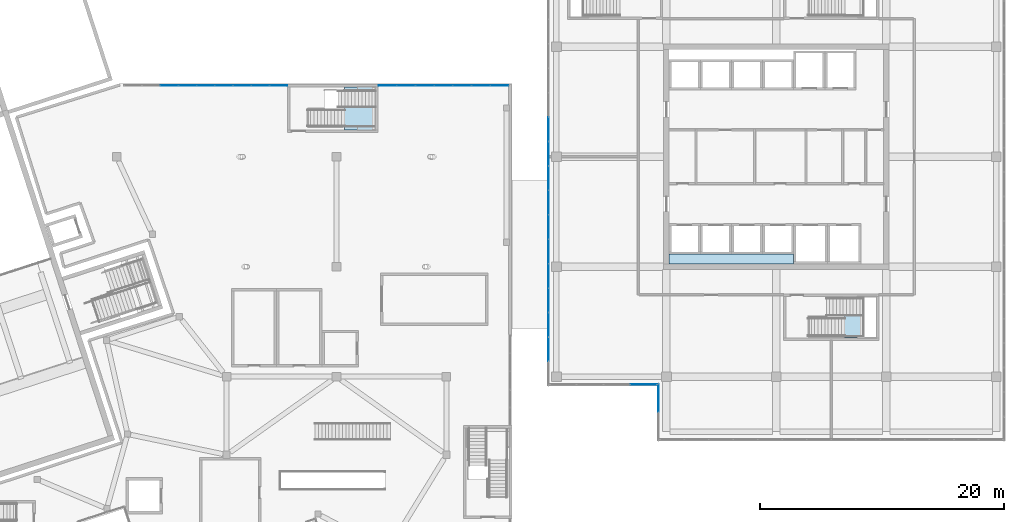
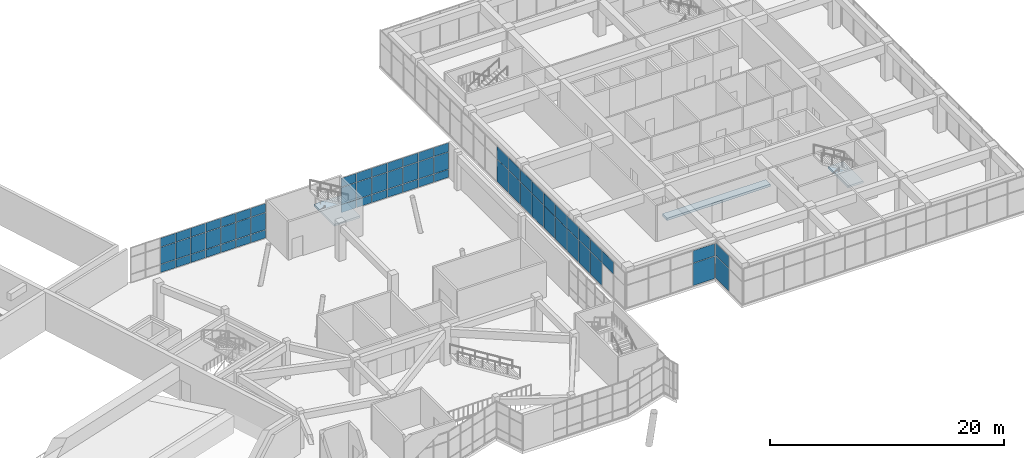
# One storey, part 49 of 66: 65 plates, 3 slabs, 7 elements without a shape of their own.
"""IFC4 building model written with IfcOpenShell, lengths in metres."""

from ifc_helpers import new_model, si_unit, direction, frame, origin, origin_2d, place, context, subcontext, project, spatial, polyline, rectangle, outline, extrude, material, layer, layer_set, type_object, element, aggregate, save


model = new_model("IFC4")

# Units and contexts
model_context = context("Model", 3, precision=1e-05, world=origin(), true_north=direction((0.0, 1.0)))
body_context = subcontext(model_context, "Body", "Model", "MODEL_VIEW")
ifc_project = project(units=[si_unit("LENGTHUNIT", "METRE"), si_unit("AREAUNIT", "SQUARE_METRE"), si_unit("VOLUMEUNIT", "CUBIC_METRE"), si_unit("PLANEANGLEUNIT", "RADIAN"), si_unit("MASSUNIT", "GRAM", prefix="KILO")], contexts=[model_context])

# Site, building, storey
site_placement = place(None, origin())
site = spatial("IfcSite", under=ifc_project, at=site_placement, CompositionType="ELEMENT")
building_placement = place(site_placement, origin())
building = spatial("IfcBuilding", under=site, at=building_placement, Name="Tuart Plaza Theatre", CompositionType="ELEMENT")
storey_placement = place(building_placement, frame((0.0, 0.0, 5.5)))
storey = spatial("IfcBuildingStorey", under=building, at=storey_placement, Name="L01", CompositionType="ELEMENT", Elevation=5.5)

# Curtain wall, plates
ifc_material_1 = material(Name="Aluminium and glass", Category="aluminium")
ifc_layer_1 = layer(ifc_material_1, 0.10009765625)
ifc_layer_set_1 = layer_set([ifc_layer_1], Name="CURTAIN WALL 1500 module")
curtain_wall_type_1 = type_object("IfcCurtainWallType", Name="CURTAIN WALL 1500 module", PredefinedType="NOTDEFINED", material=ifc_layer_set_1)
curtain_wall_1_placement = place(storey_placement, origin())
curtain_wall_1 = element("IfcCurtainWall", 1, at=curtain_wall_1_placement, inside=storey, type_object=curtain_wall_type_1, Name="CW23", PredefinedType="NOTDEFINED")
ifc_material_2 = material(Name="Glass", Category="glass")
ifc_layer_2 = layer(ifc_material_2, 0.028076171875)
ifc_layer_set_2 = layer_set([ifc_layer_2], Name="CURTAIN PANEL double glazed 28")
plate_type = type_object("IfcPlateType", Name="CURTAIN PANEL double glazed 28", PredefinedType="CURTAIN_PANEL", material=ifc_layer_set_2)
plate_1_placement = place(storey_placement, frame((82.31787109375, 79.8369140625, 0.0498046875), z_axis=(0.0, 0.0, 1.0), x_axis=(1.0, 0.0, 0.0)))
plate_1 = element("IfcPlate", 2, at=plate_1_placement, type_object=plate_type, Name="CW23 panel 3.1", PredefinedType="CURTAIN_PANEL", context=body_context, shape_type="SweptSolid", body=[
    extrude(rectangle(XDim=1.439453125, YDim=0.028076171875, at=origin_2d()), origin(), (0.0, 0.0, 1.0), 0.824951171875),
])
plate_2_placement = place(storey_placement, frame((82.31787109375, 79.8369140625, 0.925048828125), z_axis=(0.0, 0.0, 1.0), x_axis=(1.0, 0.0, 0.0)))
plate_2 = element("IfcPlate", 3, at=plate_2_placement, type_object=plate_type, Name="CW23 panel 3.2", PredefinedType="CURTAIN_PANEL", context=body_context, shape_type="SweptSolid", body=[
    extrude(rectangle(XDim=1.439453125, YDim=0.028076171875, at=origin_2d()), origin(), (0.0, 0.0, 1.0), 1.75),
])
plate_3_placement = place(storey_placement, frame((82.31787109375, 79.8369140625, 2.72509765625), z_axis=(0.0, 0.0, 1.0), x_axis=(1.0, 0.0, 0.0)))
plate_3 = element("IfcPlate", 4, at=plate_3_placement, type_object=plate_type, Name="CW23 panel 3.3", PredefinedType="CURTAIN_PANEL", context=body_context, shape_type="SweptSolid", body=[
    extrude(rectangle(XDim=1.439453125, YDim=0.028076171875, at=origin_2d()), origin(), (0.0, 0.0, 1.0), 0.925048828125),
])
plate_4_placement = place(storey_placement, frame((83.807373046875, 79.8369140625, 0.0498046875), z_axis=(0.0, 0.0, 1.0), x_axis=(1.0, 0.0, 0.0)))
plate_4 = element("IfcPlate", 5, at=plate_4_placement, type_object=plate_type, Name="CW23 panel 4.1", PredefinedType="CURTAIN_PANEL", context=body_context, shape_type="SweptSolid", body=[
    extrude(rectangle(XDim=1.439453125, YDim=0.028076171875, at=origin_2d()), origin(), (0.0, 0.0, 1.0), 0.824951171875),
])
plate_5_placement = place(storey_placement, frame((83.807373046875, 79.8369140625, 0.925048828125), z_axis=(0.0, 0.0, 1.0), x_axis=(1.0, 0.0, 0.0)))
plate_5 = element("IfcPlate", 6, at=plate_5_placement, type_object=plate_type, Name="CW23 panel 4.2", PredefinedType="CURTAIN_PANEL", context=body_context, shape_type="SweptSolid", body=[
    extrude(rectangle(XDim=1.439453125, YDim=0.028076171875, at=origin_2d()), origin(), (0.0, 0.0, 1.0), 1.75),
])
plate_6_placement = place(storey_placement, frame((83.807373046875, 79.8369140625, 2.72509765625), z_axis=(0.0, 0.0, 1.0), x_axis=(1.0, 0.0, 0.0)))
plate_6 = element("IfcPlate", 7, at=plate_6_placement, type_object=plate_type, Name="CW23 panel 4.3", PredefinedType="CURTAIN_PANEL", context=body_context, shape_type="SweptSolid", body=[
    extrude(rectangle(XDim=1.439453125, YDim=0.028076171875, at=origin_2d()), origin(), (0.0, 0.0, 1.0), 0.925048828125),
])
plate_7_placement = place(storey_placement, frame((85.297119140625, 79.8369140625, 0.0498046875), z_axis=(0.0, 0.0, 1.0), x_axis=(1.0, 0.0, 0.0)))
plate_7 = element("IfcPlate", 8, at=plate_7_placement, type_object=plate_type, Name="CW23 panel 5.1", PredefinedType="CURTAIN_PANEL", context=body_context, shape_type="SweptSolid", body=[
    extrude(rectangle(XDim=1.439453125, YDim=0.028076171875, at=origin_2d()), origin(), (0.0, 0.0, 1.0), 0.824951171875),
])
plate_8_placement = place(storey_placement, frame((85.297119140625, 79.8369140625, 0.925048828125), z_axis=(0.0, 0.0, 1.0), x_axis=(1.0, 0.0, 0.0)))
plate_8 = element("IfcPlate", 9, at=plate_8_placement, type_object=plate_type, Name="CW23 panel 5.2", PredefinedType="CURTAIN_PANEL", context=body_context, shape_type="SweptSolid", body=[
    extrude(rectangle(XDim=1.439453125, YDim=0.028076171875, at=origin_2d()), origin(), (0.0, 0.0, 1.0), 1.75),
])
plate_9_placement = place(storey_placement, frame((85.297119140625, 79.8369140625, 2.72509765625), z_axis=(0.0, 0.0, 1.0), x_axis=(1.0, 0.0, 0.0)))
plate_9 = element("IfcPlate", 10, at=plate_9_placement, type_object=plate_type, Name="CW23 panel 5.3", PredefinedType="CURTAIN_PANEL", context=body_context, shape_type="SweptSolid", body=[
    extrude(rectangle(XDim=1.439453125, YDim=0.028076171875, at=origin_2d()), origin(), (0.0, 0.0, 1.0), 0.925048828125),
])
plate_10_placement = place(storey_placement, frame((86.78662109375, 79.8369140625, 0.0498046875), z_axis=(0.0, 0.0, 1.0), x_axis=(1.0, 0.0, 0.0)))
plate_10 = element("IfcPlate", 11, at=plate_10_placement, type_object=plate_type, Name="CW23 panel 6.1", PredefinedType="CURTAIN_PANEL", context=body_context, shape_type="SweptSolid", body=[
    extrude(rectangle(XDim=1.439453125, YDim=0.028076171875, at=origin_2d()), origin(), (0.0, 0.0, 1.0), 0.824951171875),
])
plate_11_placement = place(storey_placement, frame((86.78662109375, 79.8369140625, 0.925048828125), z_axis=(0.0, 0.0, 1.0), x_axis=(1.0, 0.0, 0.0)))
plate_11 = element("IfcPlate", 12, at=plate_11_placement, type_object=plate_type, Name="CW23 panel 6.2", PredefinedType="CURTAIN_PANEL", context=body_context, shape_type="SweptSolid", body=[
    extrude(rectangle(XDim=1.439453125, YDim=0.028076171875, at=origin_2d()), origin(), (0.0, 0.0, 1.0), 1.75),
])
plate_12_placement = place(storey_placement, frame((86.78662109375, 79.8369140625, 2.72509765625), z_axis=(0.0, 0.0, 1.0), x_axis=(1.0, 0.0, 0.0)))
plate_12 = element("IfcPlate", 13, at=plate_12_placement, type_object=plate_type, Name="CW23 panel 6.3", PredefinedType="CURTAIN_PANEL", context=body_context, shape_type="SweptSolid", body=[
    extrude(rectangle(XDim=1.439453125, YDim=0.028076171875, at=origin_2d()), origin(), (0.0, 0.0, 1.0), 0.925048828125),
])
plate_13_placement = place(storey_placement, frame((88.276123046875, 79.8369140625, 0.0498046875), z_axis=(0.0, 0.0, 1.0), x_axis=(1.0, 0.0, 0.0)))
plate_13 = element("IfcPlate", 14, at=plate_13_placement, type_object=plate_type, Name="CW23 panel 7.1", PredefinedType="CURTAIN_PANEL", context=body_context, shape_type="SweptSolid", body=[
    extrude(rectangle(XDim=1.439453125, YDim=0.028076171875, at=origin_2d()), origin(), (0.0, 0.0, 1.0), 0.824951171875),
])
plate_14_placement = place(storey_placement, frame((88.276123046875, 79.8369140625, 0.925048828125), z_axis=(0.0, 0.0, 1.0), x_axis=(1.0, 0.0, 0.0)))
plate_14 = element("IfcPlate", 15, at=plate_14_placement, type_object=plate_type, Name="CW23 panel 7.2", PredefinedType="CURTAIN_PANEL", context=body_context, shape_type="SweptSolid", body=[
    extrude(rectangle(XDim=1.439453125, YDim=0.028076171875, at=origin_2d()), origin(), (0.0, 0.0, 1.0), 1.75),
])
plate_15_placement = place(storey_placement, frame((88.276123046875, 79.8369140625, 2.72509765625), z_axis=(0.0, 0.0, 1.0), x_axis=(1.0, 0.0, 0.0)))
plate_15 = element("IfcPlate", 16, at=plate_15_placement, type_object=plate_type, Name="CW23 panel 7.3", PredefinedType="CURTAIN_PANEL", context=body_context, shape_type="SweptSolid", body=[
    extrude(rectangle(XDim=1.439453125, YDim=0.028076171875, at=origin_2d()), origin(), (0.0, 0.0, 1.0), 0.925048828125),
])
plate_16_placement = place(storey_placement, frame((89.765625, 79.8369140625, 0.0498046875), z_axis=(0.0, 0.0, 1.0), x_axis=(1.0, 0.0, 0.0)))
plate_16 = element("IfcPlate", 17, at=plate_16_placement, type_object=plate_type, Name="CW23 panel 8.1", PredefinedType="CURTAIN_PANEL", context=body_context, shape_type="SweptSolid", body=[
    extrude(rectangle(XDim=1.439453125, YDim=0.028076171875, at=origin_2d()), origin(), (0.0, 0.0, 1.0), 0.824951171875),
])
plate_17_placement = place(storey_placement, frame((89.765625, 79.8369140625, 0.925048828125), z_axis=(0.0, 0.0, 1.0), x_axis=(1.0, 0.0, 0.0)))
plate_17 = element("IfcPlate", 18, at=plate_17_placement, type_object=plate_type, Name="CW23 panel 8.2", PredefinedType="CURTAIN_PANEL", context=body_context, shape_type="SweptSolid", body=[
    extrude(rectangle(XDim=1.439453125, YDim=0.028076171875, at=origin_2d()), origin(), (0.0, 0.0, 1.0), 1.75),
])
plate_18_placement = place(storey_placement, frame((89.765625, 79.8369140625, 2.72509765625), z_axis=(0.0, 0.0, 1.0), x_axis=(1.0, 0.0, 0.0)))
plate_18 = element("IfcPlate", 19, at=plate_18_placement, type_object=plate_type, Name="CW23 panel 8.3", PredefinedType="CURTAIN_PANEL", context=body_context, shape_type="SweptSolid", body=[
    extrude(rectangle(XDim=1.439453125, YDim=0.028076171875, at=origin_2d()), origin(), (0.0, 0.0, 1.0), 0.925048828125),
])
plate_19_placement = place(storey_placement, frame((91.24267578125, 79.8369140625, 0.0498046875), z_axis=(0.0, 0.0, 1.0), x_axis=(1.0, 0.0, 0.0)))
plate_19 = element("IfcPlate", 20, at=plate_19_placement, type_object=plate_type, Name="CW23 panel 9.1", PredefinedType="CURTAIN_PANEL", context=body_context, shape_type="SweptSolid", body=[
    extrude(rectangle(XDim=1.41455078125, YDim=0.028076171875, at=origin_2d()), origin(), (0.0, 0.0, 1.0), 0.824951171875),
])
plate_20_placement = place(storey_placement, frame((91.24267578125, 79.8369140625, 0.925048828125), z_axis=(0.0, 0.0, 1.0), x_axis=(1.0, 0.0, 0.0)))
plate_20 = element("IfcPlate", 21, at=plate_20_placement, type_object=plate_type, Name="CW23 panel 9.2", PredefinedType="CURTAIN_PANEL", context=body_context, shape_type="SweptSolid", body=[
    extrude(rectangle(XDim=1.41455078125, YDim=0.028076171875, at=origin_2d()), origin(), (0.0, 0.0, 1.0), 1.75),
])
plate_21_placement = place(storey_placement, frame((91.24267578125, 79.8369140625, 2.72509765625), z_axis=(0.0, 0.0, 1.0), x_axis=(1.0, 0.0, 0.0)))
plate_21 = element("IfcPlate", 22, at=plate_21_placement, type_object=plate_type, Name="CW23 panel 9.3", PredefinedType="CURTAIN_PANEL", context=body_context, shape_type="SweptSolid", body=[
    extrude(rectangle(XDim=1.41455078125, YDim=0.028076171875, at=origin_2d()), origin(), (0.0, 0.0, 1.0), 0.925048828125),
])
aggregate(curtain_wall_1, [plate_1, plate_2, plate_3, plate_4, plate_5, plate_6, plate_7, plate_8, plate_9, plate_10, plate_11, plate_12, plate_13, plate_14, plate_15, plate_16, plate_17, plate_18, plate_19, plate_20, plate_21])

curtain_wall_2_placement = place(storey_placement, origin())
curtain_wall_2 = element("IfcCurtainWall", 23, at=curtain_wall_2_placement, inside=storey, type_object=curtain_wall_type_1, Name="CW24", PredefinedType="NOTDEFINED")
plate_22_placement = place(storey_placement, frame((100.177734375, 79.8369140625, 0.0498046875), z_axis=(0.0, 0.0, 1.0), x_axis=(1.0, 0.0, 0.0)))
plate_22 = element("IfcPlate", 24, at=plate_22_placement, type_object=plate_type, Name="CW24 panel 1.1", PredefinedType="CURTAIN_PANEL", context=body_context, shape_type="SweptSolid", body=[
    extrude(rectangle(XDim=1.455322265625, YDim=0.028076171875, at=origin_2d()), origin(), (0.0, 0.0, 1.0), 0.824951171875),
])
plate_23_placement = place(storey_placement, frame((100.177734375, 79.8369140625, 0.925048828125), z_axis=(0.0, 0.0, 1.0), x_axis=(1.0, 0.0, 0.0)))
plate_23 = element("IfcPlate", 25, at=plate_23_placement, type_object=plate_type, Name="CW24 panel 1.2", PredefinedType="CURTAIN_PANEL", context=body_context, shape_type="SweptSolid", body=[
    extrude(rectangle(XDim=1.455322265625, YDim=0.028076171875, at=origin_2d()), origin(), (0.0, 0.0, 1.0), 1.75),
])
plate_24_placement = place(storey_placement, frame((100.177734375, 79.8369140625, 2.72509765625), z_axis=(0.0, 0.0, 1.0), x_axis=(1.0, 0.0, 0.0)))
plate_24 = element("IfcPlate", 26, at=plate_24_placement, type_object=plate_type, Name="CW24 panel 1.3", PredefinedType="CURTAIN_PANEL", context=body_context, shape_type="SweptSolid", body=[
    extrude(rectangle(XDim=1.455322265625, YDim=0.028076171875, at=origin_2d()), origin(), (0.0, 0.0, 1.0), 0.925048828125),
])
plate_25_placement = place(storey_placement, frame((101.695556640625, 79.8369140625, 0.0498046875), z_axis=(0.0, 0.0, 1.0), x_axis=(1.0, 0.0, 0.0)))
plate_25 = element("IfcPlate", 27, at=plate_25_placement, type_object=plate_type, Name="CW24 panel 2.1", PredefinedType="CURTAIN_PANEL", context=body_context, shape_type="SweptSolid", body=[
    extrude(rectangle(XDim=1.48046875, YDim=0.028076171875, at=origin_2d()), origin(), (0.0, 0.0, 1.0), 0.824951171875),
])
plate_26_placement = place(storey_placement, frame((101.695556640625, 79.8369140625, 0.925048828125), z_axis=(0.0, 0.0, 1.0), x_axis=(1.0, 0.0, 0.0)))
plate_26 = element("IfcPlate", 28, at=plate_26_placement, type_object=plate_type, Name="CW24 panel 2.2", PredefinedType="CURTAIN_PANEL", context=body_context, shape_type="SweptSolid", body=[
    extrude(rectangle(XDim=1.48046875, YDim=0.028076171875, at=origin_2d()), origin(), (0.0, 0.0, 1.0), 1.75),
])
plate_27_placement = place(storey_placement, frame((101.695556640625, 79.8369140625, 2.72509765625), z_axis=(0.0, 0.0, 1.0), x_axis=(1.0, 0.0, 0.0)))
plate_27 = element("IfcPlate", 29, at=plate_27_placement, type_object=plate_type, Name="CW24 panel 2.3", PredefinedType="CURTAIN_PANEL", context=body_context, shape_type="SweptSolid", body=[
    extrude(rectangle(XDim=1.48046875, YDim=0.028076171875, at=origin_2d()), origin(), (0.0, 0.0, 1.0), 0.925048828125),
])
plate_28_placement = place(storey_placement, frame((103.22607421875, 79.8369140625, 0.0498046875), z_axis=(0.0, 0.0, 1.0), x_axis=(1.0, 0.0, 0.0)))
plate_28 = element("IfcPlate", 30, at=plate_28_placement, type_object=plate_type, Name="CW24 panel 3.1", PredefinedType="CURTAIN_PANEL", context=body_context, shape_type="SweptSolid", body=[
    extrude(rectangle(XDim=1.48046875, YDim=0.028076171875, at=origin_2d()), origin(), (0.0, 0.0, 1.0), 0.824951171875),
])
plate_29_placement = place(storey_placement, frame((103.22607421875, 79.8369140625, 0.925048828125), z_axis=(0.0, 0.0, 1.0), x_axis=(1.0, 0.0, 0.0)))
plate_29 = element("IfcPlate", 31, at=plate_29_placement, type_object=plate_type, Name="CW24 panel 3.2", PredefinedType="CURTAIN_PANEL", context=body_context, shape_type="SweptSolid", body=[
    extrude(rectangle(XDim=1.48046875, YDim=0.028076171875, at=origin_2d()), origin(), (0.0, 0.0, 1.0), 1.75),
])
plate_30_placement = place(storey_placement, frame((103.22607421875, 79.8369140625, 2.72509765625), z_axis=(0.0, 0.0, 1.0), x_axis=(1.0, 0.0, 0.0)))
plate_30 = element("IfcPlate", 32, at=plate_30_placement, type_object=plate_type, Name="CW24 panel 3.3", PredefinedType="CURTAIN_PANEL", context=body_context, shape_type="SweptSolid", body=[
    extrude(rectangle(XDim=1.48046875, YDim=0.028076171875, at=origin_2d()), origin(), (0.0, 0.0, 1.0), 0.925048828125),
])
plate_31_placement = place(storey_placement, frame((104.756591796875, 79.8369140625, 0.0498046875), z_axis=(0.0, 0.0, 1.0), x_axis=(1.0, 0.0, 0.0)))
plate_31 = element("IfcPlate", 33, at=plate_31_placement, type_object=plate_type, Name="CW24 panel 4.1", PredefinedType="CURTAIN_PANEL", context=body_context, shape_type="SweptSolid", body=[
    extrude(rectangle(XDim=1.48046875, YDim=0.028076171875, at=origin_2d()), origin(), (0.0, 0.0, 1.0), 0.824951171875),
])
plate_32_placement = place(storey_placement, frame((104.756591796875, 79.8369140625, 0.925048828125), z_axis=(0.0, 0.0, 1.0), x_axis=(1.0, 0.0, 0.0)))
plate_32 = element("IfcPlate", 34, at=plate_32_placement, type_object=plate_type, Name="CW24 panel 4.2", PredefinedType="CURTAIN_PANEL", context=body_context, shape_type="SweptSolid", body=[
    extrude(rectangle(XDim=1.48046875, YDim=0.028076171875, at=origin_2d()), origin(), (0.0, 0.0, 1.0), 1.75),
])
plate_33_placement = place(storey_placement, frame((104.756591796875, 79.8369140625, 2.72509765625), z_axis=(0.0, 0.0, 1.0), x_axis=(1.0, 0.0, 0.0)))
plate_33 = element("IfcPlate", 35, at=plate_33_placement, type_object=plate_type, Name="CW24 panel 4.3", PredefinedType="CURTAIN_PANEL", context=body_context, shape_type="SweptSolid", body=[
    extrude(rectangle(XDim=1.48046875, YDim=0.028076171875, at=origin_2d()), origin(), (0.0, 0.0, 1.0), 0.925048828125),
])
plate_34_placement = place(storey_placement, frame((106.286865234375, 79.8369140625, 0.0498046875), z_axis=(0.0, 0.0, 1.0), x_axis=(1.0, 0.0, 0.0)))
plate_34 = element("IfcPlate", 36, at=plate_34_placement, type_object=plate_type, Name="CW24 panel 5.1", PredefinedType="CURTAIN_PANEL", context=body_context, shape_type="SweptSolid", body=[
    extrude(rectangle(XDim=1.48046875, YDim=0.028076171875, at=origin_2d()), origin(), (0.0, 0.0, 1.0), 0.824951171875),
])
plate_35_placement = place(storey_placement, frame((106.286865234375, 79.8369140625, 0.925048828125), z_axis=(0.0, 0.0, 1.0), x_axis=(1.0, 0.0, 0.0)))
plate_35 = element("IfcPlate", 37, at=plate_35_placement, type_object=plate_type, Name="CW24 panel 5.2", PredefinedType="CURTAIN_PANEL", context=body_context, shape_type="SweptSolid", body=[
    extrude(rectangle(XDim=1.48046875, YDim=0.028076171875, at=origin_2d()), origin(), (0.0, 0.0, 1.0), 1.75),
])
plate_36_placement = place(storey_placement, frame((106.286865234375, 79.8369140625, 2.72509765625), z_axis=(0.0, 0.0, 1.0), x_axis=(1.0, 0.0, 0.0)))
plate_36 = element("IfcPlate", 38, at=plate_36_placement, type_object=plate_type, Name="CW24 panel 5.3", PredefinedType="CURTAIN_PANEL", context=body_context, shape_type="SweptSolid", body=[
    extrude(rectangle(XDim=1.48046875, YDim=0.028076171875, at=origin_2d()), origin(), (0.0, 0.0, 1.0), 0.925048828125),
])
plate_37_placement = place(storey_placement, frame((107.8173828125, 79.8369140625, 0.0498046875), z_axis=(0.0, 0.0, 1.0), x_axis=(1.0, 0.0, 0.0)))
plate_37 = element("IfcPlate", 39, at=plate_37_placement, type_object=plate_type, Name="CW24 panel 6.1", PredefinedType="CURTAIN_PANEL", context=body_context, shape_type="SweptSolid", body=[
    extrude(rectangle(XDim=1.48046875, YDim=0.028076171875, at=origin_2d()), origin(), (0.0, 0.0, 1.0), 0.824951171875),
])
plate_38_placement = place(storey_placement, frame((107.8173828125, 79.8369140625, 0.925048828125), z_axis=(0.0, 0.0, 1.0), x_axis=(1.0, 0.0, 0.0)))
plate_38 = element("IfcPlate", 40, at=plate_38_placement, type_object=plate_type, Name="CW24 panel 6.2", PredefinedType="CURTAIN_PANEL", context=body_context, shape_type="SweptSolid", body=[
    extrude(rectangle(XDim=1.48046875, YDim=0.028076171875, at=origin_2d()), origin(), (0.0, 0.0, 1.0), 1.75),
])
plate_39_placement = place(storey_placement, frame((107.8173828125, 79.8369140625, 2.72509765625), z_axis=(0.0, 0.0, 1.0), x_axis=(1.0, 0.0, 0.0)))
plate_39 = element("IfcPlate", 41, at=plate_39_placement, type_object=plate_type, Name="CW24 panel 6.3", PredefinedType="CURTAIN_PANEL", context=body_context, shape_type="SweptSolid", body=[
    extrude(rectangle(XDim=1.48046875, YDim=0.028076171875, at=origin_2d()), origin(), (0.0, 0.0, 1.0), 0.925048828125),
])
plate_40_placement = place(storey_placement, frame((109.335205078125, 79.8369140625, 0.0498046875), z_axis=(0.0, 0.0, 1.0), x_axis=(1.0, 0.0, 0.0)))
plate_40 = element("IfcPlate", 42, at=plate_40_placement, type_object=plate_type, Name="CW24 panel 7.1", PredefinedType="CURTAIN_PANEL", context=body_context, shape_type="SweptSolid", body=[
    extrude(rectangle(XDim=1.455322265625, YDim=0.028076171875, at=origin_2d()), origin(), (0.0, 0.0, 1.0), 0.824951171875),
])
plate_41_placement = place(storey_placement, frame((109.335205078125, 79.8369140625, 0.925048828125), z_axis=(0.0, 0.0, 1.0), x_axis=(1.0, 0.0, 0.0)))
plate_41 = element("IfcPlate", 43, at=plate_41_placement, type_object=plate_type, Name="CW24 panel 7.2", PredefinedType="CURTAIN_PANEL", context=body_context, shape_type="SweptSolid", body=[
    extrude(rectangle(XDim=1.455322265625, YDim=0.028076171875, at=origin_2d()), origin(), (0.0, 0.0, 1.0), 1.75),
])
plate_42_placement = place(storey_placement, frame((109.335205078125, 79.8369140625, 2.72509765625), z_axis=(0.0, 0.0, 1.0), x_axis=(1.0, 0.0, 0.0)))
plate_42 = element("IfcPlate", 44, at=plate_42_placement, type_object=plate_type, Name="CW24 panel 7.3", PredefinedType="CURTAIN_PANEL", context=body_context, shape_type="SweptSolid", body=[
    extrude(rectangle(XDim=1.455322265625, YDim=0.028076171875, at=origin_2d()), origin(), (0.0, 0.0, 1.0), 0.925048828125),
])
aggregate(curtain_wall_2, [plate_22, plate_23, plate_24, plate_25, plate_26, plate_27, plate_28, plate_29, plate_30, plate_31, plate_32, plate_33, plate_34, plate_35, plate_36, plate_37, plate_38, plate_39, plate_40, plate_41, plate_42])

ifc_material_3 = material(Name="Aluminium and glass", Category="aluminium")
ifc_layer_3 = layer(ifc_material_3, 0.10009765625)
ifc_layer_set_3 = layer_set([ifc_layer_3], Name="CURTAIN WALL 2000 module")
curtain_wall_type_2 = type_object("IfcCurtainWallType", Name="CURTAIN WALL 2000 module", PredefinedType="NOTDEFINED", material=ifc_layer_set_3)
curtain_wall_3_placement = place(storey_placement, origin())
curtain_wall_3 = element("IfcCurtainWall", 45, at=curtain_wall_3_placement, inside=storey, type_object=curtain_wall_type_2, Name="CW67", PredefinedType="NOTDEFINED")
plate_43_placement = place(storey_placement, frame((122.35009765625, 54.262451171875, 0.0498046875), z_axis=(0.0, 0.0, 1.0), x_axis=(0.0, -1.0, 0.0)))
plate_43 = element("IfcPlate", 46, at=plate_43_placement, type_object=plate_type, Name="CW67 panel 1.1", PredefinedType="CURTAIN_PANEL", context=body_context, shape_type="SweptSolid", body=[
    extrude(rectangle(XDim=2.27490234375, YDim=0.028076171875, at=origin_2d()), origin(), (0.0, 0.0, 1.0), 2.324951171875),
])
plate_44_placement = place(storey_placement, frame((122.35009765625, 54.262451171875, 2.425048828125), z_axis=(0.0, 0.0, 1.0), x_axis=(0.0, -1.0, 0.0)))
plate_44 = element("IfcPlate", 47, at=plate_44_placement, type_object=plate_type, Name="CW67 panel 1.2", PredefinedType="CURTAIN_PANEL", context=body_context, shape_type="SweptSolid", body=[
    extrude(rectangle(XDim=2.27490234375, YDim=0.028076171875, at=origin_2d()), origin(), (0.0, 0.0, 1.0), 1.27490234375),
])
aggregate(curtain_wall_3, [plate_43, plate_44])

curtain_wall_4_placement = place(storey_placement, origin())
curtain_wall_4 = element("IfcCurtainWall", 48, at=curtain_wall_4_placement, inside=storey, type_object=curtain_wall_type_2, Name="CW73", PredefinedType="NOTDEFINED")
plate_45_placement = place(storey_placement, frame((113.35009765625, 76.25, 0.0498046875), z_axis=(0.0, 0.0, 1.0), x_axis=(0.0, -1.0, 0.0)))
plate_45 = element("IfcPlate", 49, at=plate_45_placement, type_object=plate_type, Name="CW73 panel 11.1", PredefinedType="CURTAIN_PANEL", context=body_context, shape_type="SweptSolid", body=[
    extrude(rectangle(XDim=1.949951171875, YDim=0.028076171875, at=origin_2d()), origin(), (0.0, 0.0, 1.0), 2.324951171875),
])
plate_46_placement = place(storey_placement, frame((113.35009765625, 76.25, 2.425048828125), z_axis=(0.0, 0.0, 1.0), x_axis=(0.0, -1.0, 0.0)))
plate_46 = element("IfcPlate", 50, at=plate_46_placement, type_object=plate_type, Name="CW73 panel 11.2", PredefinedType="CURTAIN_PANEL", context=body_context, shape_type="SweptSolid", body=[
    extrude(rectangle(XDim=1.949951171875, YDim=0.028076171875, at=origin_2d()), origin(), (0.0, 0.0, 1.0), 1.27490234375),
])
plate_47_placement = place(storey_placement, frame((113.35009765625, 74.25, 0.0498046875), z_axis=(0.0, 0.0, 1.0), x_axis=(0.0, -1.0, 0.0)))
plate_47 = element("IfcPlate", 51, at=plate_47_placement, type_object=plate_type, Name="CW73 panel 12.1", PredefinedType="CURTAIN_PANEL", context=body_context, shape_type="SweptSolid", body=[
    extrude(rectangle(XDim=1.949951171875, YDim=0.028076171875, at=origin_2d()), origin(), (0.0, 0.0, 1.0), 2.324951171875),
])
plate_48_placement = place(storey_placement, frame((113.35009765625, 74.25, 2.425048828125), z_axis=(0.0, 0.0, 1.0), x_axis=(0.0, -1.0, 0.0)))
plate_48 = element("IfcPlate", 52, at=plate_48_placement, type_object=plate_type, Name="CW73 panel 12.2", PredefinedType="CURTAIN_PANEL", context=body_context, shape_type="SweptSolid", body=[
    extrude(rectangle(XDim=1.949951171875, YDim=0.028076171875, at=origin_2d()), origin(), (0.0, 0.0, 1.0), 1.27490234375),
])
plate_49_placement = place(storey_placement, frame((113.35009765625, 72.25, 0.0498046875), z_axis=(0.0, 0.0, 1.0), x_axis=(0.0, -1.0, 0.0)))
plate_49 = element("IfcPlate", 53, at=plate_49_placement, type_object=plate_type, Name="CW73 panel 13.1", PredefinedType="CURTAIN_PANEL", context=body_context, shape_type="SweptSolid", body=[
    extrude(rectangle(XDim=1.949951171875, YDim=0.028076171875, at=origin_2d()), origin(), (0.0, 0.0, 1.0), 2.324951171875),
])
plate_50_placement = place(storey_placement, frame((113.35009765625, 72.25, 2.425048828125), z_axis=(0.0, 0.0, 1.0), x_axis=(0.0, -1.0, 0.0)))
plate_50 = element("IfcPlate", 54, at=plate_50_placement, type_object=plate_type, Name="CW73 panel 13.2", PredefinedType="CURTAIN_PANEL", context=body_context, shape_type="SweptSolid", body=[
    extrude(rectangle(XDim=1.949951171875, YDim=0.028076171875, at=origin_2d()), origin(), (0.0, 0.0, 1.0), 1.27490234375),
])
plate_51_placement = place(storey_placement, frame((113.35009765625, 70.25, 0.0498046875), z_axis=(0.0, 0.0, 1.0), x_axis=(0.0, -1.0, 0.0)))
plate_51 = element("IfcPlate", 55, at=plate_51_placement, type_object=plate_type, Name="CW73 panel 14.1", PredefinedType="CURTAIN_PANEL", context=body_context, shape_type="SweptSolid", body=[
    extrude(rectangle(XDim=1.949951171875, YDim=0.028076171875, at=origin_2d()), origin(), (0.0, 0.0, 1.0), 2.324951171875),
])
plate_52_placement = place(storey_placement, frame((113.35009765625, 70.25, 2.425048828125), z_axis=(0.0, 0.0, 1.0), x_axis=(0.0, -1.0, 0.0)))
plate_52 = element("IfcPlate", 56, at=plate_52_placement, type_object=plate_type, Name="CW73 panel 14.2", PredefinedType="CURTAIN_PANEL", context=body_context, shape_type="SweptSolid", body=[
    extrude(rectangle(XDim=1.949951171875, YDim=0.028076171875, at=origin_2d()), origin(), (0.0, 0.0, 1.0), 1.27490234375),
])
plate_53_placement = place(storey_placement, frame((113.35009765625, 68.25, 0.0498046875), z_axis=(0.0, 0.0, 1.0), x_axis=(0.0, -1.0, 0.0)))
plate_53 = element("IfcPlate", 57, at=plate_53_placement, type_object=plate_type, Name="CW73 panel 15.1", PredefinedType="CURTAIN_PANEL", context=body_context, shape_type="SweptSolid", body=[
    extrude(rectangle(XDim=1.949951171875, YDim=0.028076171875, at=origin_2d()), origin(), (0.0, 0.0, 1.0), 2.324951171875),
])
plate_54_placement = place(storey_placement, frame((113.35009765625, 68.25, 2.425048828125), z_axis=(0.0, 0.0, 1.0), x_axis=(0.0, -1.0, 0.0)))
plate_54 = element("IfcPlate", 58, at=plate_54_placement, type_object=plate_type, Name="CW73 panel 15.2", PredefinedType="CURTAIN_PANEL", context=body_context, shape_type="SweptSolid", body=[
    extrude(rectangle(XDim=1.949951171875, YDim=0.028076171875, at=origin_2d()), origin(), (0.0, 0.0, 1.0), 1.27490234375),
])
plate_55_placement = place(storey_placement, frame((113.35009765625, 66.25, 0.0498046875), z_axis=(0.0, 0.0, 1.0), x_axis=(0.0, -1.0, 0.0)))
plate_55 = element("IfcPlate", 59, at=plate_55_placement, type_object=plate_type, Name="CW73 panel 16.1", PredefinedType="CURTAIN_PANEL", context=body_context, shape_type="SweptSolid", body=[
    extrude(rectangle(XDim=1.949951171875, YDim=0.028076171875, at=origin_2d()), origin(), (0.0, 0.0, 1.0), 2.324951171875),
])
plate_56_placement = place(storey_placement, frame((113.35009765625, 66.25, 2.425048828125), z_axis=(0.0, 0.0, 1.0), x_axis=(0.0, -1.0, 0.0)))
plate_56 = element("IfcPlate", 60, at=plate_56_placement, type_object=plate_type, Name="CW73 panel 16.2", PredefinedType="CURTAIN_PANEL", context=body_context, shape_type="SweptSolid", body=[
    extrude(rectangle(XDim=1.949951171875, YDim=0.028076171875, at=origin_2d()), origin(), (0.0, 0.0, 1.0), 1.27490234375),
])
plate_57_placement = place(storey_placement, frame((113.35009765625, 64.25, 0.0498046875), z_axis=(0.0, 0.0, 1.0), x_axis=(0.0, -1.0, 0.0)))
plate_57 = element("IfcPlate", 61, at=plate_57_placement, type_object=plate_type, Name="CW73 panel 17.1", PredefinedType="CURTAIN_PANEL", context=body_context, shape_type="SweptSolid", body=[
    extrude(rectangle(XDim=1.949951171875, YDim=0.028076171875, at=origin_2d()), origin(), (0.0, 0.0, 1.0), 2.324951171875),
])
plate_58_placement = place(storey_placement, frame((113.35009765625, 64.25, 2.425048828125), z_axis=(0.0, 0.0, 1.0), x_axis=(0.0, -1.0, 0.0)))
plate_58 = element("IfcPlate", 62, at=plate_58_placement, type_object=plate_type, Name="CW73 panel 17.2", PredefinedType="CURTAIN_PANEL", context=body_context, shape_type="SweptSolid", body=[
    extrude(rectangle(XDim=1.949951171875, YDim=0.028076171875, at=origin_2d()), origin(), (0.0, 0.0, 1.0), 1.27490234375),
])
plate_59_placement = place(storey_placement, frame((113.35009765625, 62.25, 0.0498046875), z_axis=(0.0, 0.0, 1.0), x_axis=(0.0, -1.0, 0.0)))
plate_59 = element("IfcPlate", 63, at=plate_59_placement, type_object=plate_type, Name="CW73 panel 18.1", PredefinedType="CURTAIN_PANEL", context=body_context, shape_type="SweptSolid", body=[
    extrude(rectangle(XDim=1.949951171875, YDim=0.028076171875, at=origin_2d()), origin(), (0.0, 0.0, 1.0), 2.324951171875),
])
plate_60_placement = place(storey_placement, frame((113.35009765625, 62.25, 2.425048828125), z_axis=(0.0, 0.0, 1.0), x_axis=(0.0, -1.0, 0.0)))
plate_60 = element("IfcPlate", 64, at=plate_60_placement, type_object=plate_type, Name="CW73 panel 18.2", PredefinedType="CURTAIN_PANEL", context=body_context, shape_type="SweptSolid", body=[
    extrude(rectangle(XDim=1.949951171875, YDim=0.028076171875, at=origin_2d()), origin(), (0.0, 0.0, 1.0), 1.27490234375),
])
plate_61_placement = place(storey_placement, frame((113.35009765625, 60.25, 0.0498046875), z_axis=(0.0, 0.0, 1.0), x_axis=(0.0, -1.0, 0.0)))
plate_61 = element("IfcPlate", 65, at=plate_61_placement, type_object=plate_type, Name="CW73 panel 19.1", PredefinedType="CURTAIN_PANEL", context=body_context, shape_type="SweptSolid", body=[
    extrude(rectangle(XDim=1.949951171875, YDim=0.028076171875, at=origin_2d()), origin(), (0.0, 0.0, 1.0), 2.324951171875),
])
plate_62_placement = place(storey_placement, frame((113.35009765625, 60.25, 2.425048828125), z_axis=(0.0, 0.0, 1.0), x_axis=(0.0, -1.0, 0.0)))
plate_62 = element("IfcPlate", 66, at=plate_62_placement, type_object=plate_type, Name="CW73 panel 19.2", PredefinedType="CURTAIN_PANEL", context=body_context, shape_type="SweptSolid", body=[
    extrude(rectangle(XDim=1.949951171875, YDim=0.028076171875, at=origin_2d()), origin(), (0.0, 0.0, 1.0), 1.27490234375),
])
plate_63_placement = place(storey_placement, frame((113.35009765625, 58.25, 2.425048828125), z_axis=(0.0, 0.0, 1.0), x_axis=(0.0, -1.0, 0.0)))
plate_63 = element("IfcPlate", 67, at=plate_63_placement, type_object=plate_type, Name="CW73 panel 20.2", PredefinedType="CURTAIN_PANEL", context=body_context, shape_type="SweptSolid", body=[
    extrude(rectangle(XDim=1.949951171875, YDim=0.028076171875, at=origin_2d()), origin(), (0.0, 0.0, 1.0), 1.27490234375),
])
aggregate(curtain_wall_4, [plate_45, plate_46, plate_47, plate_48, plate_49, plate_50, plate_51, plate_52, plate_53, plate_54, plate_55, plate_56, plate_57, plate_58, plate_59, plate_60, plate_61, plate_62, plate_63])

curtain_wall_5_placement = place(storey_placement, origin())
curtain_wall_5 = element("IfcCurtainWall", 68, at=curtain_wall_5_placement, inside=storey, type_object=curtain_wall_type_2, Name="CW74", PredefinedType="NOTDEFINED")
plate_64_placement = place(storey_placement, frame((121.137451171875, 55.35009765625, 0.0498046875), z_axis=(0.0, 0.0, 1.0), x_axis=(1.0, 0.0, 0.0)))
plate_64 = element("IfcPlate", 69, at=plate_64_placement, type_object=plate_type, Name="CW74 panel 4.1", PredefinedType="CURTAIN_PANEL", context=body_context, shape_type="SweptSolid", body=[
    extrude(rectangle(XDim=2.125, YDim=0.028076171875, at=origin_2d()), origin(), (0.0, 0.0, 1.0), 2.324951171875),
])
plate_65_placement = place(storey_placement, frame((121.137451171875, 55.35009765625, 2.425048828125), z_axis=(0.0, 0.0, 1.0), x_axis=(1.0, 0.0, 0.0)))
plate_65 = element("IfcPlate", 70, at=plate_65_placement, type_object=plate_type, Name="CW74 panel 4.2", PredefinedType="CURTAIN_PANEL", context=body_context, shape_type="SweptSolid", body=[
    extrude(rectangle(XDim=2.125, YDim=0.028076171875, at=origin_2d()), origin(), (0.0, 0.0, 1.0), 1.27490234375),
])
aggregate(curtain_wall_5, [plate_64, plate_65])

# Slab
ifc_material_4 = material(Name="Concrete N40 (40 MPa)", Category="concrete")
ifc_layer_4 = layer(ifc_material_4, 0.25)
ifc_layer_set_4 = layer_set([ifc_layer_4], Name="SLAB Floor 250 Concrete N40 (40 MPa)")
slab_type_1 = type_object("IfcSlabType", Name="SLAB Floor 250 Concrete N40 (40 MPa)", PredefinedType="FLOOR", material=ifc_layer_set_4)
slab_1_placement = place(storey_placement, frame((0.0, 0.0, -0.25)))
element("IfcSlab", 71, at=slab_1_placement, inside=storey, type_object=slab_type_1, Name="S84", PredefinedType="FLOOR", context=body_context, shape_type="SweptSolid", body=[
    extrude(outline(polyline([(123.22509765625, 66.02490234375), (123.22509765625, 65.22509765625), (133.425048828125, 65.22509765625), (133.425048828125, 66.02490234375), (123.22509765625, 66.02490234375)])), origin(), (0.0, 0.0, 1.0), 0.25),
])

# Stair, slab
ifc_material_5 = material(Name="Concrete N40 (40 MPa)", Category="concrete")
stair_type_1 = type_object("IfcStairType", Name="STAIR half turn 1400", PredefinedType="HALF_TURN_STAIR", material=ifc_material_5)
stair_1_placement = place(storey_placement, origin())
stair_1 = element("IfcStair", 72, at=stair_1_placement, inside=storey, type_object=stair_type_1, Name="SB-5", PredefinedType="HALF_TURN_STAIR")
ifc_material_6 = material(Name="Concrete N40 (40 MPa)", Category="concrete")
ifc_layer_5 = layer(ifc_material_6, 0.199951171875)
ifc_layer_set_5 = layer_set([ifc_layer_5], Name="STAIR LANDING 200")
slab_type_2 = type_object("IfcSlabType", Name="STAIR LANDING 200", PredefinedType="LANDING", material=ifc_layer_set_5)
slab_2_placement = place(storey_placement, frame((0.0, 0.0, 1.800048828125)))
slab_2 = element("IfcSlab", 73, at=slab_2_placement, type_object=slab_type_2, Name="SB-5 landing 1", PredefinedType="LANDING", context=body_context, shape_type="SweptSolid", body=[
    extrude(outline(polyline([(96.659912109375, 76.201904296875), (99.2099609375, 76.201904296875), (99.2099609375, 79.697998046875), (96.659912109375, 79.697998046875), (96.659912109375, 76.201904296875)])), origin(), (0.0, 0.0, 1.0), 0.199951171875),
])
aggregate(stair_1, [slab_2])

ifc_material_7 = material(Name="Concrete N40 (40 MPa)", Category="concrete")
stair_type_2 = type_object("IfcStairType", Name="STAIR half turn 1500", PredefinedType="HALF_TURN_STAIR", material=ifc_material_7)
stair_2_placement = place(storey_placement, origin())
stair_2 = element("IfcStair", 74, at=stair_2_placement, inside=storey, type_object=stair_type_2, Name="SC-2", PredefinedType="HALF_TURN_STAIR")
slab_3_placement = place(storey_placement, frame((0.0, 0.0, 1.800048828125)))
slab_3 = element("IfcSlab", 75, at=slab_3_placement, type_object=slab_type_2, Name="SC-2 landing 1", PredefinedType="LANDING", context=body_context, shape_type="SweptSolid", body=[
    extrude(outline(polyline([(137.60009765625, 59.177001953125), (139.1298828125, 59.177001953125), (139.1298828125, 62.572998046875), (137.60009765625, 62.572998046875), (137.60009765625, 59.177001953125)])), origin(), (0.0, 0.0, 1.0), 0.199951171875),
])
aggregate(stair_2, [slab_3])

save(model, "model.ifc")
